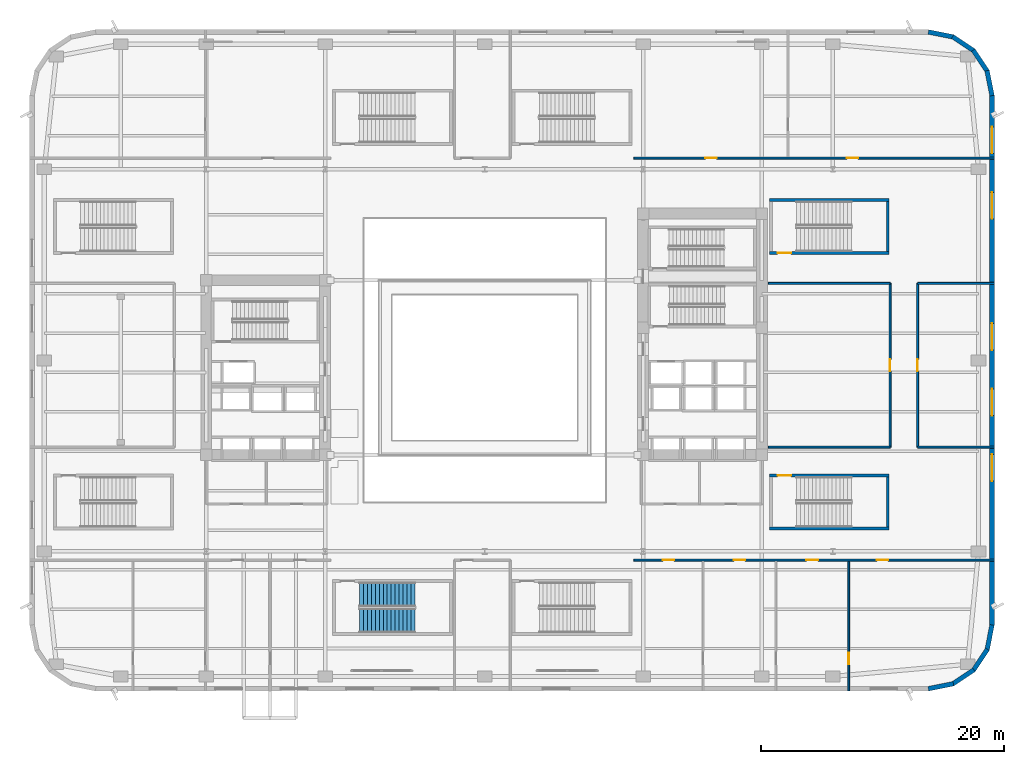
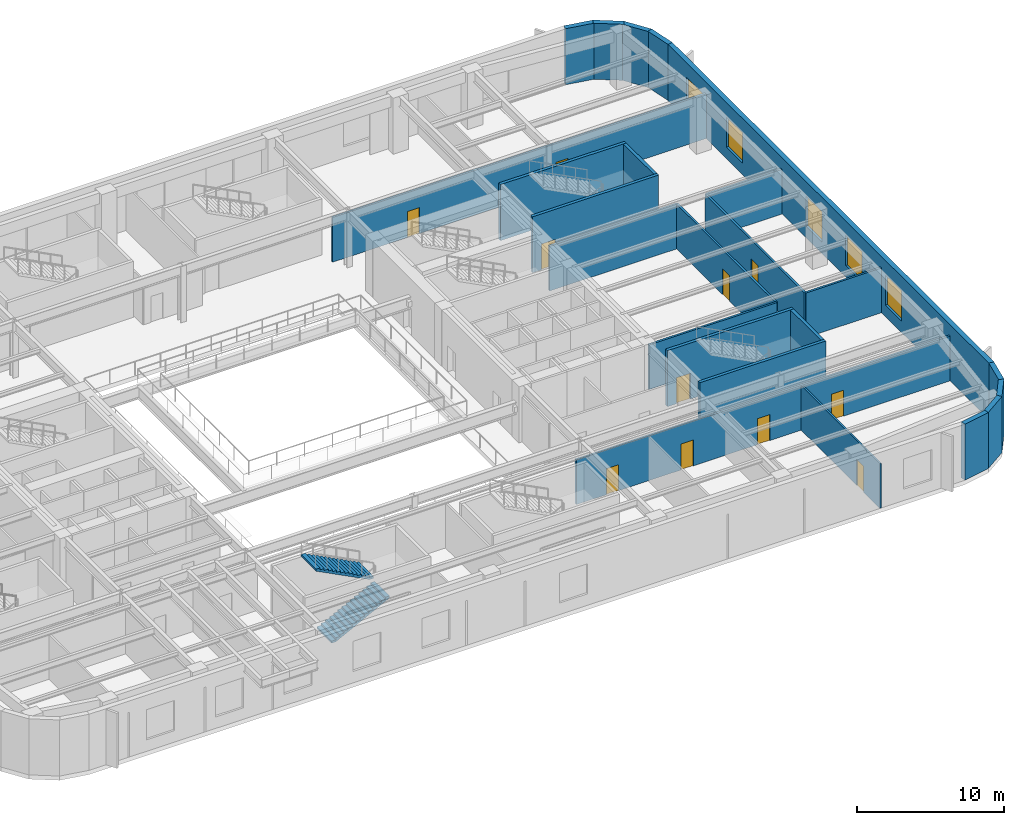
# One storey, part 11 of 24: 24 walls, 11 doors, 5 windows, 2 stair flights, 16 openings, 1 element without a shape of its own.
"""IFC4 building model written with IfcOpenShell, lengths in metres."""

import ifcopenshell
import ifcopenshell.guid

model = None  # the IFC model being written
_history = None  # IfcOwnerHistory: only IFC2X3 demands one
_inside = {}  # id of a spatial element -> (the spatial element, [elements in it])
_under = {}  # id of a project, library or spatial element -> (it, [spatial elements below it])
_declared = {}  # id of a project -> (the project, [libraries it declares])
_typed = {}  # id of a type object -> (the type object, [elements of that type])
_made_of = {}  # id of a material, layer set ... -> (it, [elements and type objects made of it])


def new_model(schema):
    """Start an empty IFC model of exactly this schema.

    Asked for "IFC4X3", IfcOpenShell would pick the latest addendum, in which some entities
    have other attributes; the version numbers below select the first issue.
    IFC2X3 requires an IfcOwnerHistory on every rooted entity: one is made here for all.
    """
    global model, _history
    if schema == "IFC4X3":
        model = ifcopenshell.file(schema_version=(4, 3, 0, 0))
    else:
        model = ifcopenshell.file(schema=schema)
    _inside.clear()
    _under.clear()
    _declared.clear()
    _typed.clear()
    _made_of.clear()
    _history = None
    if model.schema == "IFC2X3":
        org = make("IfcOrganization", Name="unknown")
        user = make(
            "IfcPersonAndOrganization",
            ThePerson=make("IfcPerson", FamilyName="unknown"),
            TheOrganization=org,
        )
        app = make(
            "IfcApplication",
            ApplicationDeveloper=org,
            Version="unknown",
            ApplicationFullName="unknown",
            ApplicationIdentifier="unknown",
        )
        _history = make(
            "IfcOwnerHistory",
            OwningUser=user,
            OwningApplication=app,
            ChangeAction="ADDED",
            CreationDate=0,
        )
    return model


def make(cls, **values):
    """One entity of the class cls with the attributes given. An attribute that is None is left unset."""
    return model.create_entity(
        cls, **{name: value for name, value in values.items() if value is not None}
    )


def rooted(cls, **values):
    """An entity with a GlobalId (a new one), such as an element, a storey or a relation."""
    return make(cls, GlobalId=ifcopenshell.guid.new(), OwnerHistory=_history, **values)


def si_unit(unit_type, name, prefix=None):
    """IfcSIUnit, for example si_unit("LENGTHUNIT", "METRE", prefix="MILLI")."""
    return make("IfcSIUnit", UnitType=unit_type, Prefix=prefix, Name=name)


def assignment(units):
    """IfcUnitAssignment: the units of a project."""
    return None if units is None else make("IfcUnitAssignment", Units=units)


def point(xyz):
    """IfcCartesianPoint."""
    return None if xyz is None else make("IfcCartesianPoint", Coordinates=xyz)


def direction(xyz):
    """IfcDirection."""
    return None if xyz is None else make("IfcDirection", DirectionRatios=xyz)


def frame(location, z_axis=None, x_axis=None):
    """IfcAxis2Placement3D, a coordinate frame: its origin and axes. An axis left out is left unset."""
    return make(
        "IfcAxis2Placement3D",
        Location=point(location),
        Axis=direction(z_axis),
        RefDirection=direction(x_axis),
    )


def frame_2d(location, x_axis=None):
    """IfcAxis2Placement2D, a coordinate frame in the plane: its origin and x axis."""
    return make(
        "IfcAxis2Placement2D", Location=point(location), RefDirection=direction(x_axis)
    )


def origin():
    """The frame at (0, 0, 0) with its axes left unset."""
    return frame((0.0, 0.0, 0.0))


def place(relative_to, where):
    """IfcLocalPlacement: puts the frame where relative to a parent placement (None: the world)."""
    return make(
        "IfcLocalPlacement", PlacementRelTo=relative_to, RelativePlacement=where
    )


def context(
    kind, dimensions, precision=None, world=None, true_north=None, identifier=None
):
    """IfcGeometricRepresentationContext, for example the 3D "Model" context."""
    return make(
        "IfcGeometricRepresentationContext",
        ContextIdentifier=identifier,
        ContextType=kind,
        CoordinateSpaceDimension=dimensions,
        Precision=precision,
        WorldCoordinateSystem=world,
        TrueNorth=true_north,
    )


def subcontext(parent, identifier, kind, view, scale=None):
    """IfcGeometricRepresentationSubContext, for example "Body" below "Model"."""
    return make(
        "IfcGeometricRepresentationSubContext",
        ContextIdentifier=identifier,
        ContextType=kind,
        ParentContext=parent,
        TargetScale=scale,
        TargetView=view,
    )


def project(units=None, contexts=None):
    """IfcProject with its units and contexts."""
    return rooted(
        "IfcProject",
        Name="project",
        RepresentationContexts=contexts,
        UnitsInContext=assignment(units),
    )


def spatial(cls, under=None, at=None, **own):
    """A site, building, storey or space (cls), placed at a placement, below another one or the project."""
    s = rooted(cls, ObjectPlacement=at, **own)
    if under is not None:
        _under.setdefault(under.id(), (under, []))[1].append(s)
    return s


def polyline(points):
    """IfcPolyline through the points."""
    return make("IfcPolyline", Points=[point(p) for p in points])


def profile(cls, at=None, kind="AREA", **sizes):
    """A parametric profile (cls). Its sizes go by their IFC names, for example OverallWidth=200.0."""
    return make(cls, ProfileType=kind, Position=at, **sizes)


def rectangle(**sizes):
    """IfcRectangleProfileDef."""
    return profile("IfcRectangleProfileDef", **sizes)


def outline(outer, holes=None, kind="AREA"):
    """IfcArbitraryClosedProfileDef: a profile drawn as a closed curve; with holes, ...WithVoids."""
    if holes is None:
        return make("IfcArbitraryClosedProfileDef", ProfileType=kind, OuterCurve=outer)
    return make(
        "IfcArbitraryProfileDefWithVoids",
        ProfileType=kind,
        OuterCurve=outer,
        InnerCurves=holes,
    )


def extrude(swept, where, along, depth):
    """IfcExtrudedAreaSolid: the profile swept, set in the frame where, extruded along a direction by depth."""
    return make(
        "IfcExtrudedAreaSolid",
        SweptArea=swept,
        Position=where,
        ExtrudedDirection=direction(along),
        Depth=depth,
    )


def shape(context_of_items, identifier, shape_type, items):
    """IfcShapeRepresentation: the items that make up one representation, for example the "Body"."""
    return make(
        "IfcShapeRepresentation",
        ContextOfItems=context_of_items,
        RepresentationIdentifier=identifier,
        RepresentationType=shape_type,
        Items=items,
    )


def material(Name=None, Category=None):
    """IfcMaterial."""
    return make("IfcMaterial", Name=Name, Category=Category)


def layer(
    of_material, thickness, ventilated=None, Name=None, Category=None, Priority=None
):
    """IfcMaterialLayer: one layer of a wall or slab, of a material (None: an air gap)."""
    return make(
        "IfcMaterialLayer",
        Material=of_material,
        LayerThickness=thickness,
        IsVentilated=ventilated,
        Name=Name,
        Category=Category,
        Priority=Priority,
    )


def layer_set(layers, Name=None):
    """IfcMaterialLayerSet."""
    return make("IfcMaterialLayerSet", MaterialLayers=layers, LayerSetName=Name)


def made_of(thing, what):
    """Note that an element or type object is made of a material, layer set ...; save() writes the relation."""
    if what is not None:
        _made_of.setdefault(what.id(), (what, []))[1].append(thing)
    return thing


def type_object(cls, material=None, **own):
    """A type object (cls), such as IfcWallType, which elements share."""
    return made_of(rooted(cls, **own), material)


def element(
    cls,
    number,
    at=None,
    inside=None,
    cuts=None,
    type_object=None,
    material=None,
    context=None,
    identifier="Body",
    shape_type=None,
    held_by="IfcProductDefinitionShape",
    body=None,
    shapes=None,
    **own,
):
    """One element of the class cls, such as IfcWall. Its Tag is "e" and its number.

    at: its placement. inside: the storey or other place that contains it. cuts: it is an
    opening in that element (IfcRelVoidsElement). A single representation is given by context,
    identifier, shape_type and body (its items); several are given by shapes. held_by: the class
    of the entity that holds the representations. save() writes the other relations.
    """
    e = rooted(cls, Tag="e%d" % number, ObjectPlacement=at, **own)
    if body is not None:
        shapes = [shape(context, identifier, shape_type, body)]
    if shapes is not None:
        e.Representation = make(held_by, Representations=shapes)
    if inside is not None:
        _inside.setdefault(inside.id(), (inside, []))[1].append(e)
    if cuts is not None:
        rooted(
            "IfcRelVoidsElement", RelatingBuildingElement=cuts, RelatedOpeningElement=e
        )
    if type_object is not None:
        _typed.setdefault(type_object.id(), (type_object, []))[1].append(e)
    return made_of(e, material)


def fill(opening, filler):
    """IfcRelFillsElement: the door or window that sits in an opening."""
    return rooted(
        "IfcRelFillsElement",
        RelatingOpeningElement=opening,
        RelatedBuildingElement=filler,
    )


def aggregate(whole, parts):
    """IfcRelAggregates: a whole, such as a stair, and the parts it consists of."""
    return rooted("IfcRelAggregates", RelatingObject=whole, RelatedObjects=parts)


def save(model, path):
    """Write the relations noted so far, then the file.

    IfcRelAggregates (storeys below a building ...), IfcRelContainedInSpatialStructure (elements
    in a storey), IfcRelDefinesByType, IfcRelAssociatesMaterial and IfcRelDeclares: one each for
    every whole, place, type object, material and project.
    """
    for whole, parts in _under.values():
        aggregate(whole, parts)
    for where, things in _inside.values():
        rooted(
            "IfcRelContainedInSpatialStructure",
            RelatedElements=things,
            RelatingStructure=where,
        )
    for kind, things in _typed.values():
        rooted("IfcRelDefinesByType", RelatedObjects=things, RelatingType=kind)
    for what, things in _made_of.values():
        rooted("IfcRelAssociatesMaterial", RelatedObjects=things, RelatingMaterial=what)
    for by, libraries in _declared.values():
        rooted("IfcRelDeclares", RelatingContext=by, RelatedDefinitions=libraries)
    model.write(path)


model = new_model("IFC4")

# Units and contexts
model_context = context("Model", 3, precision=1e-05, world=origin(), true_north=direction((0.0, 1.0)))
body_context = subcontext(model_context, "Body", "Model", "MODEL_VIEW")
ifc_project = project(units=[si_unit("LENGTHUNIT", "METRE"), si_unit("AREAUNIT", "SQUARE_METRE"), si_unit("VOLUMEUNIT", "CUBIC_METRE"), si_unit("PLANEANGLEUNIT", "RADIAN"), si_unit("MASSUNIT", "GRAM", prefix="KILO")], contexts=[model_context])

# Site, building, storey
site_placement = place(None, origin())
site = spatial("IfcSite", under=ifc_project, at=site_placement, CompositionType="ELEMENT")
building_placement = place(site_placement, origin())
building = spatial("IfcBuilding", under=site, at=building_placement, Name="Kolvaren Arena Tower", CompositionType="ELEMENT")
storey_placement = place(building_placement, frame((0.0, 0.0, 23.0)))
storey = spatial("IfcBuildingStorey", under=building, at=storey_placement, Name="L04", CompositionType="ELEMENT", Elevation=23.0)

# Wall, opening, door
ifc_material_1 = material(Name="Gypsum board acoustic assembly", Category="gypsum")
ifc_layer_1 = layer(ifc_material_1, 0.159912109375)
ifc_layer_set_1 = layer_set([ifc_layer_1], Name="Gypsum board acoustic assembly")
wall_type_1 = type_object("IfcWallType", Name="CORR-160", PredefinedType="PARTITIONING", material=ifc_layer_set_1)
wall_1_placement = place(storey_placement, frame((70.919921875, 20.10009765625, 0.0), z_axis=(0.0, 0.0, 1.0), x_axis=(0.0, 1.0, 0.0)))
wall_1 = element("IfcWall", 1, at=wall_1_placement, inside=storey, type_object=wall_type_1, Name="Interior Partition Wall (L04)", PredefinedType="PARTITIONING", context=body_context, shape_type="SweptSolid", body=[
    extrude(rectangle(XDim=13.5, YDim=0.159912109375, at=frame_2d((6.75, 0.0))), origin(), (0.0, 0.0, 1.0), 3.7099609375),
])
opening_1_placement = place(wall_1_placement, frame((6.27001953125, 0.0, 0.0)))
opening_1 = element("IfcOpeningElement", 2, at=opening_1_placement, cuts=wall_1, Name="Opening D05", PredefinedType="OPENING", context=body_context, shape_type="SweptSolid", body=[
    extrude(rectangle(XDim=0.949951171875, YDim=2.14990234375, at=frame_2d((0.47509765625, 1.074951171875))), frame((0.0, 0.08984375, 0.0), z_axis=(0.0, -1.0, 0.0), x_axis=(1.0, 0.0, 0.0)), (0.0, 0.0, 1.0), 0.179931640625),
])
ifc_material_2 = material(Name="Solid-core oak acoustic office door", Category="wood")
door_type_1 = type_object("IfcDoorType", Name="DOOR-OF-095", OperationType="NOTDEFINED", PredefinedType="DOOR", material=ifc_material_2)
door_1_placement = place(opening_1_placement, origin())
door_1 = element("IfcDoor", 3, at=door_1_placement, inside=storey, type_object=door_type_1, Name="East VIP Briefing Room Door (L04)", OperationType="SINGLE_SWING_LEFT", OverallHeight=2.14990234375, OverallWidth=0.949951171875, PredefinedType="DOOR", context=body_context, shape_type="SweptSolid", body=[
    extrude(rectangle(XDim=0.949951171875, YDim=2.14990234375, at=frame_2d((0.47509765625, 1.074951171875))), frame((0.0, 0.02490234375, 0.0), z_axis=(0.0, -1.0, 0.0), x_axis=(1.0, 0.0, 0.0)), (0.0, 0.0, 1.0), 0.050048828125),
])
fill(opening_1, door_1)

wall_2_placement = place(storey_placement, frame((73.179931640625, 20.10009765625, 0.0), z_axis=(0.0, 0.0, 1.0), x_axis=(0.0, 1.0, 0.0)))
wall_2 = element("IfcWall", 4, at=wall_2_placement, inside=storey, type_object=wall_type_1, Name="Interior Partition Wall (L04)", PredefinedType="PARTITIONING", context=body_context, shape_type="SweptSolid", body=[
    extrude(rectangle(XDim=13.5, YDim=0.159912109375, at=frame_2d((6.75, 0.0))), origin(), (0.0, 0.0, 1.0), 3.7099609375),
])
opening_2_placement = place(wall_2_placement, frame((6.27001953125, 0.0, 0.0)))
opening_2 = element("IfcOpeningElement", 5, at=opening_2_placement, cuts=wall_2, Name="Opening D05", PredefinedType="OPENING", context=body_context, shape_type="SweptSolid", body=[
    extrude(rectangle(XDim=0.949951171875, YDim=2.14990234375, at=frame_2d((0.47509765625, 1.074951171875))), frame((0.0, 0.08984375, 0.0), z_axis=(0.0, -1.0, 0.0), x_axis=(1.0, 0.0, 0.0)), (0.0, 0.0, 1.0), 0.179931640625),
])
door_2_placement = place(opening_2_placement, origin())
door_2 = element("IfcDoor", 6, at=door_2_placement, inside=storey, type_object=door_type_1, Name="Executive Summit Lounge Door (L04)", OperationType="SINGLE_SWING_RIGHT", OverallHeight=2.14990234375, OverallWidth=0.949951171875, PredefinedType="DOOR", context=body_context, shape_type="SweptSolid", body=[
    extrude(rectangle(XDim=0.949951171875, YDim=2.14990234375, at=frame_2d((0.47509765625, 1.074951171875))), frame((0.0, 0.02490234375, 0.0), z_axis=(0.0, -1.0, 0.0), x_axis=(1.0, 0.0, 0.0)), (0.0, 0.0, 1.0), 0.050048828125),
])
fill(opening_2, door_2)

# Walls
for number, where, z_axis, x_axis, name in (
    (7, (60.8798828125, 20.10009765625, 0.0), (0.0, 0.0, 1.0), (1.0, 0.0, 0.0), "Interior Partition Wall (L04)"),
    (8, (60.8798828125, 33.60009765625, 0.0), (0.0, 0.0, 1.0), (1.0, 0.0, 0.0), "Interior Partition Wall (L04)"),
):
    element("IfcWall", number, at=place(storey_placement, frame(where, z_axis=z_axis, x_axis=x_axis)), inside=storey, type_object=wall_type_1, Name=name, PredefinedType="PARTITIONING", context=body_context, shape_type="SweptSolid", body=[
        extrude(rectangle(XDim=10.0400390625, YDim=0.159912109375, at=frame_2d((5.02001953125, 0.0))), origin(), (0.0, 0.0, 1.0), 3.7099609375),
    ])
for number, where, z_axis, x_axis, name in (
    (9, (73.179931640625, 20.10009765625, 0.0), (0.0, 0.0, 1.0), (1.0, 0.0, 0.0), "Interior Partition Wall (L04)"),
    (10, (73.179931640625, 33.60009765625, 0.0), (0.0, 0.0, 1.0), (1.0, 0.0, 0.0), "Interior Partition Wall (L04)"),
):
    element("IfcWall", number, at=place(storey_placement, frame(where, z_axis=z_axis, x_axis=x_axis)), inside=storey, type_object=wall_type_1, Name=name, PredefinedType="PARTITIONING", context=body_context, shape_type="SweptSolid", body=[
        extrude(rectangle(XDim=6.320068359375, YDim=0.159912109375, at=frame_2d((3.16015625, 0.0))), origin(), (0.0, 0.0, 1.0), 3.7099609375),
    ])

# Wall, openings, doors
wall_3_placement = place(storey_placement, frame((49.800048828125, 10.780029296875, 0.0), z_axis=(0.0, 0.0, 1.0), x_axis=(1.0, 0.0, 0.0)))
wall_3 = element("IfcWall", 11, at=wall_3_placement, inside=storey, type_object=wall_type_1, Name="Interior Partition Wall (L04)", PredefinedType="PARTITIONING", context=body_context, shape_type="SweptSolid", body=[
    extrude(rectangle(XDim=29.699951171875, YDim=0.159912109375, at=frame_2d((14.85009765625, 0.0))), origin(), (0.0, 0.0, 1.0), 3.7099609375),
])
opening_3_placement = place(wall_3_placement, frame((2.3701171875, 0.0, 0.0)))
opening_3 = element("IfcOpeningElement", 12, at=opening_3_placement, cuts=wall_3, Name="Opening D05", PredefinedType="OPENING", context=body_context, shape_type="SweptSolid", body=[
    extrude(rectangle(XDim=0.949951171875, YDim=2.14990234375, at=frame_2d((0.47509765625, 1.074951171875))), frame((0.0, 0.08984375, 0.0), z_axis=(0.0, -1.0, 0.0), x_axis=(1.0, 0.0, 0.0)), (0.0, 0.0, 1.0), 0.179931640625),
])
opening_4_placement = place(wall_3_placement, frame((8.219970703125, 0.0, 0.0)))
opening_4 = element("IfcOpeningElement", 13, at=opening_4_placement, cuts=wall_3, Name="Opening D05", PredefinedType="OPENING", context=body_context, shape_type="SweptSolid", body=[
    extrude(rectangle(XDim=0.949951171875, YDim=2.14990234375, at=frame_2d((0.47509765625, 1.074951171875))), frame((0.0, 0.08984375, 0.0), z_axis=(0.0, -1.0, 0.0), x_axis=(1.0, 0.0, 0.0)), (0.0, 0.0, 1.0), 0.179931640625),
])
opening_5_placement = place(wall_3_placement, frame((14.219970703125, 0.0, 0.0)))
opening_5 = element("IfcOpeningElement", 14, at=opening_5_placement, cuts=wall_3, Name="Opening D05", PredefinedType="OPENING", context=body_context, shape_type="SweptSolid", body=[
    extrude(rectangle(XDim=0.949951171875, YDim=2.14990234375, at=frame_2d((0.47509765625, 1.074951171875))), frame((0.0, 0.08984375, 0.0), z_axis=(0.0, -1.0, 0.0), x_axis=(1.0, 0.0, 0.0)), (0.0, 0.0, 1.0), 0.179931640625),
])
opening_6_placement = place(wall_3_placement, frame((20.02001953125, 0.0, 0.0)))
opening_6 = element("IfcOpeningElement", 15, at=opening_6_placement, cuts=wall_3, Name="Opening D05", PredefinedType="OPENING", context=body_context, shape_type="SweptSolid", body=[
    extrude(rectangle(XDim=0.949951171875, YDim=2.14990234375, at=frame_2d((0.47509765625, 1.074951171875))), frame((0.0, 0.08984375, 0.0), z_axis=(0.0, -1.0, 0.0), x_axis=(1.0, 0.0, 0.0)), (0.0, 0.0, 1.0), 0.179931640625),
])
door_3_placement = place(opening_3_placement, origin())
door_3 = element("IfcDoor", 16, at=door_3_placement, inside=storey, type_object=door_type_1, Name="Executive Office Door (L04)", OperationType="SINGLE_SWING_LEFT", OverallHeight=2.14990234375, OverallWidth=0.949951171875, PredefinedType="DOOR", context=body_context, shape_type="SweptSolid", body=[
    extrude(rectangle(XDim=0.949951171875, YDim=2.14990234375, at=frame_2d((0.47509765625, 1.074951171875))), frame((0.0, 0.02490234375, 0.0), z_axis=(0.0, -1.0, 0.0), x_axis=(1.0, 0.0, 0.0)), (0.0, 0.0, 1.0), 0.050048828125),
])
fill(opening_3, door_3)
door_4_placement = place(opening_4_placement, origin())
door_4 = element("IfcDoor", 17, at=door_4_placement, inside=storey, type_object=door_type_1, Name="South-East Dining Hall Door (L04)", OperationType="SINGLE_SWING_RIGHT", OverallHeight=2.14990234375, OverallWidth=0.949951171875, PredefinedType="DOOR", context=body_context, shape_type="SweptSolid", body=[
    extrude(rectangle(XDim=0.949951171875, YDim=2.14990234375, at=frame_2d((0.47509765625, 1.074951171875))), frame((0.0, 0.02490234375, 0.0), z_axis=(0.0, -1.0, 0.0), x_axis=(1.0, 0.0, 0.0)), (0.0, 0.0, 1.0), 0.050048828125),
])
fill(opening_4, door_4)
door_5_placement = place(opening_5_placement, origin())
door_5 = element("IfcDoor", 18, at=door_5_placement, inside=storey, type_object=door_type_1, Name="Beverage Commissary Door (L04)", OperationType="SINGLE_SWING_LEFT", OverallHeight=2.14990234375, OverallWidth=0.949951171875, PredefinedType="DOOR", context=body_context, shape_type="SweptSolid", body=[
    extrude(rectangle(XDim=0.949951171875, YDim=2.14990234375, at=frame_2d((0.47509765625, 1.074951171875))), frame((0.0, 0.02490234375, 0.0), z_axis=(0.0, -1.0, 0.0), x_axis=(1.0, 0.0, 0.0)), (0.0, 0.0, 1.0), 0.050048828125),
])
fill(opening_5, door_5)
door_6_placement = place(opening_6_placement, origin())
door_6 = element("IfcDoor", 19, at=door_6_placement, inside=storey, type_object=door_type_1, Name="Event Ticketing Salon Door (L04)", OperationType="SINGLE_SWING_RIGHT", OverallHeight=2.14990234375, OverallWidth=0.949951171875, PredefinedType="DOOR", context=body_context, shape_type="SweptSolid", body=[
    extrude(rectangle(XDim=0.949951171875, YDim=2.14990234375, at=frame_2d((0.47509765625, 1.074951171875))), frame((0.0, 0.02490234375, 0.0), z_axis=(0.0, -1.0, 0.0), x_axis=(1.0, 0.0, 0.0)), (0.0, 0.0, 1.0), 0.050048828125),
])
fill(opening_6, door_6)

wall_4_placement = place(storey_placement, frame((49.800048828125, 43.919921875, 0.0), z_axis=(0.0, 0.0, 1.0), x_axis=(1.0, 0.0, 0.0)))
wall_4 = element("IfcWall", 20, at=wall_4_placement, inside=storey, type_object=wall_type_1, Name="Interior Partition Wall (L04)", PredefinedType="PARTITIONING", context=body_context, shape_type="SweptSolid", body=[
    extrude(rectangle(XDim=29.699951171875, YDim=0.159912109375, at=frame_2d((14.85009765625, 0.0))), origin(), (0.0, 0.0, 1.0), 3.7099609375),
])
opening_7_placement = place(wall_4_placement, frame((5.8701171875, 0.0, 0.0)))
opening_7 = element("IfcOpeningElement", 21, at=opening_7_placement, cuts=wall_4, Name="Opening D05", PredefinedType="OPENING", context=body_context, shape_type="SweptSolid", body=[
    extrude(rectangle(XDim=0.949951171875, YDim=2.14990234375, at=frame_2d((0.47509765625, 1.074951171875))), frame((0.0, 0.08984375, 0.0), z_axis=(0.0, -1.0, 0.0), x_axis=(1.0, 0.0, 0.0)), (0.0, 0.0, 1.0), 0.179931640625),
])
opening_8_placement = place(wall_4_placement, frame((17.52001953125, 0.0, 0.0)))
opening_8 = element("IfcOpeningElement", 22, at=opening_8_placement, cuts=wall_4, Name="Opening D05", PredefinedType="OPENING", context=body_context, shape_type="SweptSolid", body=[
    extrude(rectangle(XDim=0.949951171875, YDim=2.14990234375, at=frame_2d((0.47509765625, 1.074951171875))), frame((0.0, 0.08984375, 0.0), z_axis=(0.0, -1.0, 0.0), x_axis=(1.0, 0.0, 0.0)), (0.0, 0.0, 1.0), 0.179931640625),
])
door_7_placement = place(opening_7_placement, origin())
door_7 = element("IfcDoor", 23, at=door_7_placement, inside=storey, type_object=door_type_1, Name="Training Seminar Room Door (L04)", OperationType="SINGLE_SWING_LEFT", OverallHeight=2.14990234375, OverallWidth=0.949951171875, PredefinedType="DOOR", context=body_context, shape_type="SweptSolid", body=[
    extrude(rectangle(XDim=0.949951171875, YDim=2.14990234375, at=frame_2d((0.47509765625, 1.074951171875))), frame((0.0, 0.02490234375, 0.0), z_axis=(0.0, -1.0, 0.0), x_axis=(1.0, 0.0, 0.0)), (0.0, 0.0, 1.0), 0.050048828125),
])
fill(opening_7, door_7)
door_8_placement = place(opening_8_placement, origin())
door_8 = element("IfcDoor", 24, at=door_8_placement, inside=storey, type_object=door_type_1, Name="North-East Sponsor Hall Door (L04)", OperationType="SINGLE_SWING_RIGHT", OverallHeight=2.14990234375, OverallWidth=0.949951171875, PredefinedType="DOOR", context=body_context, shape_type="SweptSolid", body=[
    extrude(rectangle(XDim=0.949951171875, YDim=2.14990234375, at=frame_2d((0.47509765625, 1.074951171875))), frame((0.0, 0.02490234375, 0.0), z_axis=(0.0, -1.0, 0.0), x_axis=(1.0, 0.0, 0.0)), (0.0, 0.0, 1.0), 0.050048828125),
])
fill(opening_8, door_8)

# Walls
ifc_material_3 = material(Name="Precast concrete C50/60", Category="concrete")
ifc_layer_2 = layer(ifc_material_3, 0.3798828125)
ifc_layer_set_2 = layer_set([ifc_layer_2], Name="Precast concrete C50/60")
wall_type_2 = type_object("IfcWallType", Name="EXT-ARENA", PredefinedType="SOLIDWALL", material=ifc_layer_set_2)
for number, where, z_axis, x_axis, name in (
    (25, (76.12939453125, 0.597412109375, 0.0), (0.0, 0.0, 1.0), (-0.9807762837, -0.195135546048, 0.0), "Exterior Precast Masonry-Frame Wall (L04)"),
    (26, (77.812744140625, 1.739501953125, 0.0), (0.0, 0.0, 1.0), (-0.831515102434, -0.555502146192, 0.0), "Exterior Precast Masonry-Frame Wall (L04)"),
    (27, (78.930908203125, 3.439208984375, 0.0), (0.0, 0.0, 1.0), (-0.555502146192, -0.831515102434, 0.0), "Exterior Precast Masonry-Frame Wall (L04)"),
    (28, (79.313720703125, 5.43701171875, 0.0), (0.0, 0.0, 1.0), (-0.195135546048, -0.9807762837, 0.0), "Exterior Precast Masonry-Frame Wall (L04)"),
):
    element("IfcWall", number, at=place(storey_placement, frame(where, z_axis=z_axis, x_axis=x_axis)), inside=storey, type_object=wall_type_2, Name=name, PredefinedType="SOLIDWALL", context=body_context, shape_type="SweptSolid", body=[
        extrude(rectangle(XDim=2.10693359375, YDim=0.3798828125, at=frame_2d((1.053466796875, 0.0))), origin(), (0.0, 0.0, 1.0), 4.64990234375),
    ])

# Wall, openings, windows
wall_5_placement = place(storey_placement, frame((79.31005859375, 49.10009765625, 0.0), z_axis=(0.0, 0.0, 1.0), x_axis=(0.0, -1.0, 0.0)))
wall_5 = element("IfcWall", 29, at=wall_5_placement, inside=storey, type_object=wall_type_2, Name="Exterior Precast Masonry-Frame Wall (L04)", PredefinedType="SOLIDWALL", context=body_context, shape_type="SweptSolid", body=[
    extrude(rectangle(XDim=43.7001953125, YDim=0.3798828125, at=frame_2d((21.85009765625, 0.0))), origin(), (0.0, 0.0, 1.0), 4.64990234375),
])
opening_9_placement = place(wall_5_placement, frame((2.60009765625, 0.0, 0.949951171875)))
opening_9 = element("IfcOpeningElement", 30, at=opening_9_placement, cuts=wall_5, Name="Opening W07", PredefinedType="OPENING", context=body_context, shape_type="SweptSolid", body=[
    extrude(rectangle(XDim=2.199951171875, YDim=2.5, at=frame_2d((1.10009765625, 1.25))), frame((0.0, 0.199951171875, 0.0), z_axis=(0.0, -1.0, 0.0), x_axis=(1.0, 0.0, 0.0)), (0.0, 0.0, 1.0), 0.39990234375),
])
opening_10_placement = place(wall_5_placement, frame((8.0, 0.0, 0.949951171875)))
opening_10 = element("IfcOpeningElement", 31, at=opening_10_placement, cuts=wall_5, Name="Opening W07", PredefinedType="OPENING", context=body_context, shape_type="SweptSolid", body=[
    extrude(rectangle(XDim=2.199951171875, YDim=2.5, at=frame_2d((1.10009765625, 1.25))), frame((0.0, 0.199951171875, 0.0), z_axis=(0.0, -1.0, 0.0), x_axis=(1.0, 0.0, 0.0)), (0.0, 0.0, 1.0), 0.39990234375),
])
opening_11_placement = place(wall_5_placement, frame((18.800048828125, 0.0, 0.949951171875)))
opening_11 = element("IfcOpeningElement", 32, at=opening_11_placement, cuts=wall_5, Name="Opening W07", PredefinedType="OPENING", context=body_context, shape_type="SweptSolid", body=[
    extrude(rectangle(XDim=2.199951171875, YDim=2.5, at=frame_2d((1.10009765625, 1.25))), frame((0.0, 0.199951171875, 0.0), z_axis=(0.0, -1.0, 0.0), x_axis=(1.0, 0.0, 0.0)), (0.0, 0.0, 1.0), 0.39990234375),
])
opening_12_placement = place(wall_5_placement, frame((24.199951171875, 0.0, 0.949951171875)))
opening_12 = element("IfcOpeningElement", 33, at=opening_12_placement, cuts=wall_5, Name="Opening W07", PredefinedType="OPENING", context=body_context, shape_type="SweptSolid", body=[
    extrude(rectangle(XDim=2.199951171875, YDim=2.5, at=frame_2d((1.10009765625, 1.25))), frame((0.0, 0.199951171875, 0.0), z_axis=(0.0, -1.0, 0.0), x_axis=(1.0, 0.0, 0.0)), (0.0, 0.0, 1.0), 0.39990234375),
])
opening_13_placement = place(wall_5_placement, frame((29.60009765625, 0.0, 0.949951171875)))
opening_13 = element("IfcOpeningElement", 34, at=opening_13_placement, cuts=wall_5, Name="Opening W07", PredefinedType="OPENING", context=body_context, shape_type="SweptSolid", body=[
    extrude(rectangle(XDim=2.199951171875, YDim=2.5, at=frame_2d((1.10009765625, 1.25))), frame((0.0, 0.199951171875, 0.0), z_axis=(0.0, -1.0, 0.0), x_axis=(1.0, 0.0, 0.0)), (0.0, 0.0, 1.0), 0.39990234375),
])
ifc_material_4 = material(Name="Triple-glazed arena concourse window", Category="glass")
window_type = type_object("IfcWindowType", Name="WIN-POD-A", PartitioningType="DOUBLE_PANEL_VERTICAL", PredefinedType="WINDOW", material=ifc_material_4)
window_1_placement = place(opening_9_placement, origin())
window_1 = element("IfcWindow", 35, at=window_1_placement, inside=storey, type_object=window_type, Name="Punched Precast-Pier Window (L04)", OverallHeight=2.5, OverallWidth=2.199951171875, PartitioningType="DOUBLE_PANEL_VERTICAL", PredefinedType="WINDOW", context=body_context, shape_type="SweptSolid", body=[
    extrude(rectangle(XDim=2.199951171875, YDim=2.5, at=frame_2d((1.10009765625, 1.25))), frame((0.0, 0.030029296875, 0.0), z_axis=(0.0, -1.0, 0.0), x_axis=(1.0, 0.0, 0.0)), (0.0, 0.0, 1.0), 0.06005859375),
])
fill(opening_9, window_1)
window_2_placement = place(opening_10_placement, origin())
window_2 = element("IfcWindow", 36, at=window_2_placement, inside=storey, type_object=window_type, Name="Punched Precast-Pier Window (L04)", OverallHeight=2.5, OverallWidth=2.199951171875, PartitioningType="DOUBLE_PANEL_VERTICAL", PredefinedType="WINDOW", context=body_context, shape_type="SweptSolid", body=[
    extrude(rectangle(XDim=2.199951171875, YDim=2.5, at=frame_2d((1.10009765625, 1.25))), frame((0.0, 0.030029296875, 0.0), z_axis=(0.0, -1.0, 0.0), x_axis=(1.0, 0.0, 0.0)), (0.0, 0.0, 1.0), 0.06005859375),
])
fill(opening_10, window_2)
window_3_placement = place(opening_11_placement, origin())
window_3 = element("IfcWindow", 37, at=window_3_placement, inside=storey, type_object=window_type, Name="Punched Precast-Pier Window (L04)", OverallHeight=2.5, OverallWidth=2.199951171875, PartitioningType="DOUBLE_PANEL_VERTICAL", PredefinedType="WINDOW", context=body_context, shape_type="SweptSolid", body=[
    extrude(rectangle(XDim=2.199951171875, YDim=2.5, at=frame_2d((1.10009765625, 1.25))), frame((0.0, 0.030029296875, 0.0), z_axis=(0.0, -1.0, 0.0), x_axis=(1.0, 0.0, 0.0)), (0.0, 0.0, 1.0), 0.06005859375),
])
fill(opening_11, window_3)
window_4_placement = place(opening_12_placement, origin())
window_4 = element("IfcWindow", 38, at=window_4_placement, inside=storey, type_object=window_type, Name="Punched Precast-Pier Window (L04)", OverallHeight=2.5, OverallWidth=2.199951171875, PartitioningType="DOUBLE_PANEL_VERTICAL", PredefinedType="WINDOW", context=body_context, shape_type="SweptSolid", body=[
    extrude(rectangle(XDim=2.199951171875, YDim=2.5, at=frame_2d((1.10009765625, 1.25))), frame((0.0, 0.030029296875, 0.0), z_axis=(0.0, -1.0, 0.0), x_axis=(1.0, 0.0, 0.0)), (0.0, 0.0, 1.0), 0.06005859375),
])
fill(opening_12, window_4)
window_5_placement = place(opening_13_placement, origin())
window_5 = element("IfcWindow", 39, at=window_5_placement, inside=storey, type_object=window_type, Name="Punched Precast-Pier Window (L04)", OverallHeight=2.5, OverallWidth=2.199951171875, PartitioningType="DOUBLE_PANEL_VERTICAL", PredefinedType="WINDOW", context=body_context, shape_type="SweptSolid", body=[
    extrude(rectangle(XDim=2.199951171875, YDim=2.5, at=frame_2d((1.10009765625, 1.25))), frame((0.0, 0.030029296875, 0.0), z_axis=(0.0, -1.0, 0.0), x_axis=(1.0, 0.0, 0.0)), (0.0, 0.0, 1.0), 0.06005859375),
])
fill(opening_13, window_5)

# Walls
for number, where, z_axis, x_axis, name in (
    (40, (78.902587890625, 51.12939453125, 0.0), (0.0, 0.0, 1.0), (0.195135546048, -0.9807762837, 0.0), "Exterior Precast Masonry-Frame Wall (L04)"),
    (41, (77.760498046875, 52.812744140625, 0.0), (0.0, 0.0, 1.0), (0.555502146192, -0.831515102434, 0.0), "Exterior Precast Masonry-Frame Wall (L04)"),
    (42, (76.060791015625, 53.930908203125, 0.0), (0.0, 0.0, 1.0), (0.831515102434, -0.555502146192, 0.0), "Exterior Precast Masonry-Frame Wall (L04)"),
    (43, (74.06298828125, 54.313720703125, 0.0), (0.0, 0.0, 1.0), (0.9807762837, -0.195135546048, 0.0), "Exterior Precast Masonry-Frame Wall (L04)"),
):
    element("IfcWall", number, at=place(storey_placement, frame(where, z_axis=z_axis, x_axis=x_axis)), inside=storey, type_object=wall_type_2, Name=name, PredefinedType="SOLIDWALL", context=body_context, shape_type="SweptSolid", body=[
        extrude(rectangle(XDim=2.10693359375, YDim=0.3798828125, at=frame_2d((1.053466796875, 0.0))), origin(), (0.0, 0.0, 1.0), 4.64990234375),
    ])

# Wall, opening, door
ifc_material_5 = material(Name="Gypsum board partition assembly", Category="gypsum")
ifc_layer_3 = layer(ifc_material_5, 0.135009765625)
ifc_layer_set_3 = layer_set([ifc_layer_3], Name="Gypsum board partition assembly")
wall_type_3 = type_object("IfcWallType", Name="PART-135", PredefinedType="PARTITIONING", material=ifc_layer_set_3)
wall_6_placement = place(storey_placement, frame((67.5, 0.0, 0.0), z_axis=(0.0, 0.0, 1.0), x_axis=(0.0, 1.0, 0.0)))
wall_6 = element("IfcWall", 44, at=wall_6_placement, inside=storey, type_object=wall_type_3, Name="Interior Partition Wall (L04)", PredefinedType="PARTITIONING", context=body_context, shape_type="SweptSolid", body=[
    extrude(rectangle(XDim=10.68994140625, YDim=0.135009765625, at=frame_2d((5.344970703125, 0.0))), origin(), (0.0, 0.0, 1.0), 3.7099609375),
])
opening_14_placement = place(wall_6_placement, frame((2.199951171875, 0.0, 0.0)))
opening_14 = element("IfcOpeningElement", 45, at=opening_14_placement, cuts=wall_6, Name="Opening D05", PredefinedType="OPENING", context=body_context, shape_type="SweptSolid", body=[
    extrude(rectangle(XDim=0.949951171875, YDim=2.14990234375, at=frame_2d((0.47509765625, 1.074951171875))), frame((0.0, 0.077392578125, 0.0), z_axis=(0.0, -1.0, 0.0), x_axis=(1.0, 0.0, 0.0)), (0.0, 0.0, 1.0), 0.155029296875),
])
door_9_placement = place(opening_14_placement, origin())
door_9 = element("IfcDoor", 46, at=door_9_placement, inside=storey, type_object=door_type_1, Name="Beverage Commissary Connecting Door (L04)", OperationType="SINGLE_SWING_LEFT", OverallHeight=2.14990234375, OverallWidth=0.949951171875, PredefinedType="DOOR", context=body_context, shape_type="SweptSolid", body=[
    extrude(rectangle(XDim=0.949951171875, YDim=2.14990234375, at=frame_2d((0.47509765625, 1.074951171875))), frame((0.0, 0.02490234375, 0.0), z_axis=(0.0, -1.0, 0.0), x_axis=(1.0, 0.0, 0.0)), (0.0, 0.0, 1.0), 0.050048828125),
])
fill(opening_14, door_9)

ifc_material_6 = material(Name="Concrete 45 MPa", Category="concrete")
ifc_layer_4 = layer(ifc_material_6, 0.25)
ifc_layer_set_4 = layer_set([ifc_layer_4], Name="Concrete 45 MPa")
wall_type_4 = type_object("IfcWallType", Name="SHAFT-250", PredefinedType="SOLIDWALL", material=ifc_layer_set_4)
wall_7_placement = place(storey_placement, frame((60.9599609375, 17.77001953125, 0.0), z_axis=(0.0, 0.0, 1.0), x_axis=(1.0, 0.0, 0.0)))
wall_7 = element("IfcWall", 47, at=wall_7_placement, inside=storey, type_object=wall_type_4, Name="Stair ST-A4 Rated Enclosure Wall (L04)", PredefinedType="SOLIDWALL", context=body_context, shape_type="SweptSolid", body=[
    extrude(rectangle(XDim=9.880126953125, YDim=0.239990234375, at=frame_2d((4.93994140625, 0.0))), origin(), (0.0, 0.0, 1.0), 4.64990234375),
])
opening_15_placement = place(wall_7_placement, frame((0.68994140625, 0.0, 0.0)))
opening_15 = element("IfcOpeningElement", 48, at=opening_15_placement, cuts=wall_7, Name="Opening D03", PredefinedType="OPENING", context=body_context, shape_type="SweptSolid", body=[
    extrude(rectangle(XDim=1.10009765625, YDim=2.14990234375, at=frame_2d((0.550048828125, 1.074951171875))), frame((0.0, 0.1298828125, 0.0), z_axis=(0.0, -1.0, 0.0), x_axis=(1.0, 0.0, 0.0)), (0.0, 0.0, 1.0), 0.260009765625),
])
ifc_material_7 = material(Name="Fire-rated steel exit stair door", Category="steel")
door_type_2 = type_object("IfcDoorType", Name="DOOR-ST-110", OperationType="NOTDEFINED", PredefinedType="DOOR", material=ifc_material_7)
door_10_placement = place(opening_15_placement, origin())
door_10 = element("IfcDoor", 49, at=door_10_placement, inside=storey, type_object=door_type_2, Name="Exit Stair ST-A4 Fire Door (L04)", OperationType="SINGLE_SWING_LEFT", OverallHeight=2.14990234375, OverallWidth=1.10009765625, PredefinedType="DOOR", context=body_context, shape_type="SweptSolid", body=[
    extrude(rectangle(XDim=1.10009765625, YDim=2.14990234375, at=frame_2d((0.550048828125, 1.074951171875))), frame((0.0, 0.02490234375, 0.0), z_axis=(0.0, -1.0, 0.0), x_axis=(1.0, 0.0, 0.0)), (0.0, 0.0, 1.0), 0.050048828125),
])
fill(opening_15, door_10)

# Walls
wall_8_placement = place(storey_placement, frame((60.9599609375, 13.3798828125, 0.0), z_axis=(0.0, 0.0, 1.0), x_axis=(1.0, 0.0, 0.0)))
element("IfcWall", 50, at=wall_8_placement, inside=storey, type_object=wall_type_4, Name="Stair ST-A4 Rear Shaft Wall (L04)", PredefinedType="SOLIDWALL", context=body_context, shape_type="SweptSolid", body=[
    extrude(rectangle(XDim=9.880126953125, YDim=0.239990234375, at=frame_2d((4.93994140625, 0.0))), origin(), (0.0, 0.0, 1.0), 4.64990234375),
])
wall_9_placement = place(storey_placement, frame((70.719970703125, 13.5, 0.0), z_axis=(0.0, 0.0, 1.0), x_axis=(0.0, 1.0, 0.0)))
element("IfcWall", 51, at=wall_9_placement, inside=storey, type_object=wall_type_4, Name="Stair ST-A4 East Shaft Wall (L04)", PredefinedType="SOLIDWALL", context=body_context, shape_type="SweptSolid", body=[
    extrude(rectangle(XDim=4.14990234375, YDim=0.239990234375, at=frame_2d((2.074951171875, 0.0))), origin(), (0.0, 0.0, 1.0), 4.64990234375),
])

# Wall, opening, door
wall_10_placement = place(storey_placement, frame((70.840087890625, 36.080078125, 0.0), z_axis=(0.0, 0.0, 1.0), x_axis=(-1.0, 0.0, 0.0)))
wall_10 = element("IfcWall", 52, at=wall_10_placement, inside=storey, type_object=wall_type_4, Name="Stair ST-A8 Rated Enclosure Wall (L04)", PredefinedType="SOLIDWALL", context=body_context, shape_type="SweptSolid", body=[
    extrude(rectangle(XDim=9.880126953125, YDim=0.239990234375, at=frame_2d((4.93994140625, 0.0))), origin(), (0.0, 0.0, 1.0), 4.64990234375),
])
opening_16_placement = place(wall_10_placement, frame((8.090087890625, 0.0, 0.0)))
opening_16 = element("IfcOpeningElement", 53, at=opening_16_placement, cuts=wall_10, Name="Opening D03", PredefinedType="OPENING", context=body_context, shape_type="SweptSolid", body=[
    extrude(rectangle(XDim=1.10009765625, YDim=2.14990234375, at=frame_2d((0.550048828125, 1.074951171875))), frame((0.0, 0.1298828125, 0.0), z_axis=(0.0, -1.0, 0.0), x_axis=(1.0, 0.0, 0.0)), (0.0, 0.0, 1.0), 0.260009765625),
])
door_11_placement = place(opening_16_placement, origin())
door_11 = element("IfcDoor", 54, at=door_11_placement, inside=storey, type_object=door_type_2, Name="Exit Stair ST-A8 Fire Door (L04)", OperationType="SINGLE_SWING_LEFT", OverallHeight=2.14990234375, OverallWidth=1.10009765625, PredefinedType="DOOR", context=body_context, shape_type="SweptSolid", body=[
    extrude(rectangle(XDim=1.10009765625, YDim=2.14990234375, at=frame_2d((0.550048828125, 1.074951171875))), frame((0.0, 0.02490234375, 0.0), z_axis=(0.0, -1.0, 0.0), x_axis=(1.0, 0.0, 0.0)), (0.0, 0.0, 1.0), 0.050048828125),
])
fill(opening_16, door_11)

# Walls
wall_11_placement = place(storey_placement, frame((60.9599609375, 40.469970703125, 0.0), z_axis=(0.0, 0.0, 1.0), x_axis=(1.0, 0.0, 0.0)))
element("IfcWall", 55, at=wall_11_placement, inside=storey, type_object=wall_type_4, Name="Stair ST-A8 Rear Shaft Wall (L04)", PredefinedType="SOLIDWALL", context=body_context, shape_type="SweptSolid", body=[
    extrude(rectangle(XDim=9.880126953125, YDim=0.239990234375, at=frame_2d((4.93994140625, 0.0))), origin(), (0.0, 0.0, 1.0), 4.64990234375),
])
wall_12_placement = place(storey_placement, frame((70.719970703125, 36.199951171875, 0.0), z_axis=(0.0, 0.0, 1.0), x_axis=(0.0, 1.0, 0.0)))
element("IfcWall", 56, at=wall_12_placement, inside=storey, type_object=wall_type_4, Name="Stair ST-A8 East Shaft Wall (L04)", PredefinedType="SOLIDWALL", context=body_context, shape_type="SweptSolid", body=[
    extrude(rectangle(XDim=4.150146484375, YDim=0.239990234375, at=frame_2d((2.0751953125, 0.0))), origin(), (0.0, 0.0, 1.0), 4.64990234375),
])

# Stair, stair flights
stair_type = type_object("IfcStairType", Name="STAIR-ARENA-220", PredefinedType="HALF_TURN_STAIR", material=ifc_material_6)
stair_placement = place(storey_placement, origin())
stair = element("IfcStair", 57, at=stair_placement, inside=storey, type_object=stair_type, Name="L04 ST-A2", PredefinedType="HALF_TURN_STAIR")
stair_flight_type = type_object("IfcStairFlightType", Name="FLT-220", PredefinedType="STRAIGHT", material=ifc_material_6)
stair_flight_1_placement = place(storey_placement, frame((27.199951171875, 5.800048828125, 0.0), z_axis=(0.0, 0.0, 1.0), x_axis=(1.0, 0.0, 0.0)))
stair_flight_1 = element("IfcStairFlight", 58, at=stair_flight_1_placement, type_object=stair_flight_type, Name="ST-A2 flight 1", NumberOfRisers=15, NumberOfTreads=14, PredefinedType="STRAIGHT", RiserHeight=0.166666667, TreadLength=0.324, context=body_context, shape_type="SweptSolid", body=[
    extrude(outline(polyline([(0.0, 0.0), (0.0, 0.166748046875), (0.323974609375, 0.166748046875), (0.323974609375, 0.333251953125), (0.64794921875, 0.333251953125), (0.64794921875, 0.5), (0.971923828125, 0.5), (0.971923828125, 0.666748046875), (1.2958984375, 0.666748046875), (1.2958984375, 0.833251953125), (1.6201171875, 0.833251953125), (1.6201171875, 1.0), (1.944091796875, 1.0), (1.944091796875, 1.166748046875), (2.26806640625, 1.166748046875), (2.26806640625, 1.333251953125), (2.592041015625, 1.333251953125), (2.592041015625, 1.5), (2.916015625, 1.5), (2.916015625, 1.666748046875), (3.239990234375, 1.666748046875), (3.239990234375, 1.833251953125), (3.56396484375, 1.833251953125), (3.56396484375, 2.0), (3.887939453125, 2.0), (3.887939453125, 2.166748046875), (4.2119140625, 2.166748046875), (4.2119140625, 2.333251953125), (4.535888671875, 2.333251953125), (4.535888671875, 2.5), (4.535888671875, 2.164794921875), (0.32763671875, 0.0), (0.0, 0.0)])), frame((0.0, 1.0, 0.0), z_axis=(0.0, -1.0, 0.0), x_axis=(1.0, 0.0, 0.0)), (0.0, 0.0, 1.0), 2.0),
])
stair_flight_2_placement = place(storey_placement, frame((31.736083984375, 7.949951171875, 2.5), z_axis=(0.0, 0.0, 1.0), x_axis=(-1.0, 0.0, 0.0)))
stair_flight_2 = element("IfcStairFlight", 59, at=stair_flight_2_placement, type_object=stair_flight_type, Name="ST-A2 flight 2", NumberOfRisers=15, NumberOfTreads=14, PredefinedType="STRAIGHT", RiserHeight=0.166666667, TreadLength=0.324, context=body_context, shape_type="SweptSolid", body=[
    extrude(outline(polyline([(0.0, 0.0), (0.0, 0.166748046875), (0.323974609375, 0.166748046875), (0.323974609375, 0.333251953125), (0.64794921875, 0.333251953125), (0.64794921875, 0.5), (0.971923828125, 0.5), (0.971923828125, 0.666748046875), (1.2958984375, 0.666748046875), (1.2958984375, 0.833251953125), (1.6201171875, 0.833251953125), (1.6201171875, 1.0), (1.944091796875, 1.0), (1.944091796875, 1.166748046875), (2.26806640625, 1.166748046875), (2.26806640625, 1.333251953125), (2.592041015625, 1.333251953125), (2.592041015625, 1.5), (2.916015625, 1.5), (2.916015625, 1.666748046875), (3.239990234375, 1.666748046875), (3.239990234375, 1.833251953125), (3.56396484375, 1.833251953125), (3.56396484375, 2.0), (3.887939453125, 2.0), (3.887939453125, 2.166748046875), (4.2119140625, 2.166748046875), (4.2119140625, 2.333251953125), (4.535888671875, 2.333251953125), (4.535888671875, 2.5), (4.535888671875, 2.164794921875), (0.32763671875, 0.0), (0.0, 0.0)])), frame((0.0, 1.0, 0.0), z_axis=(0.0, -1.0, 0.0), x_axis=(1.0, 0.0, 0.0)), (0.0, 0.0, 1.0), 2.0),
])
aggregate(stair, [stair_flight_1, stair_flight_2])

save(model, "model.ifc")
